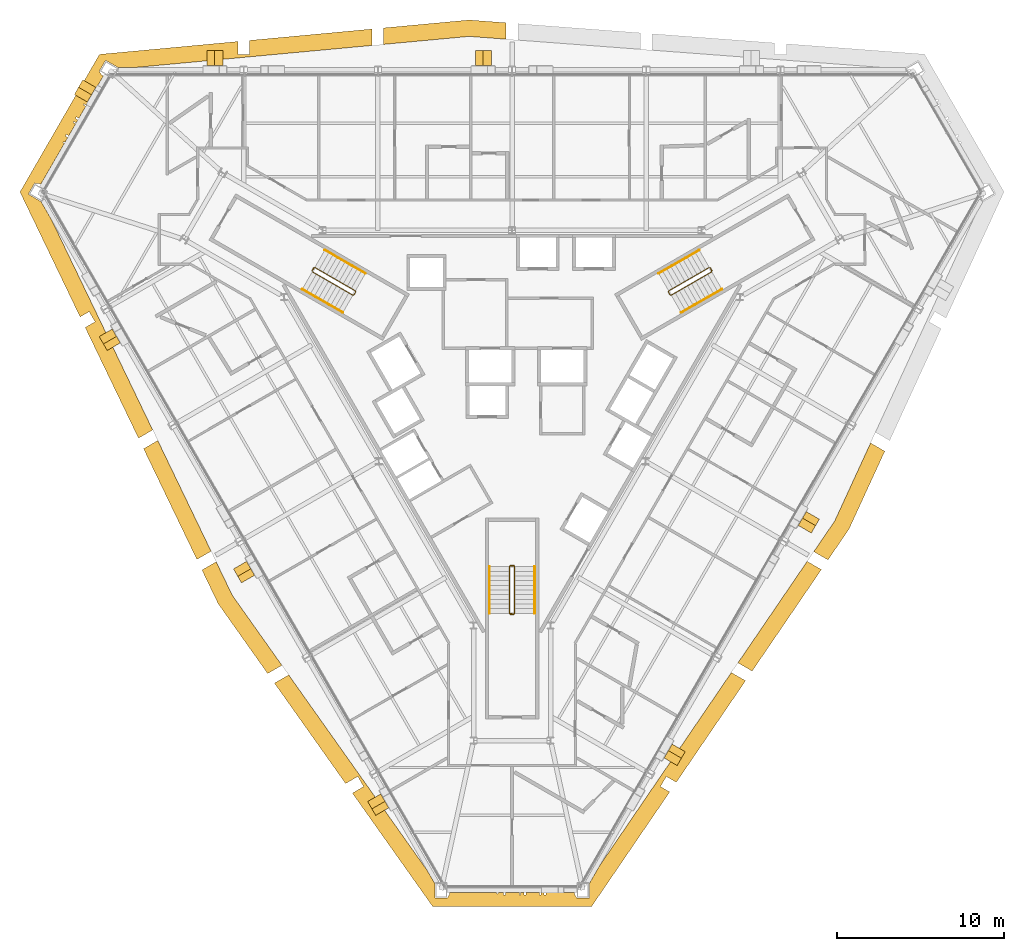
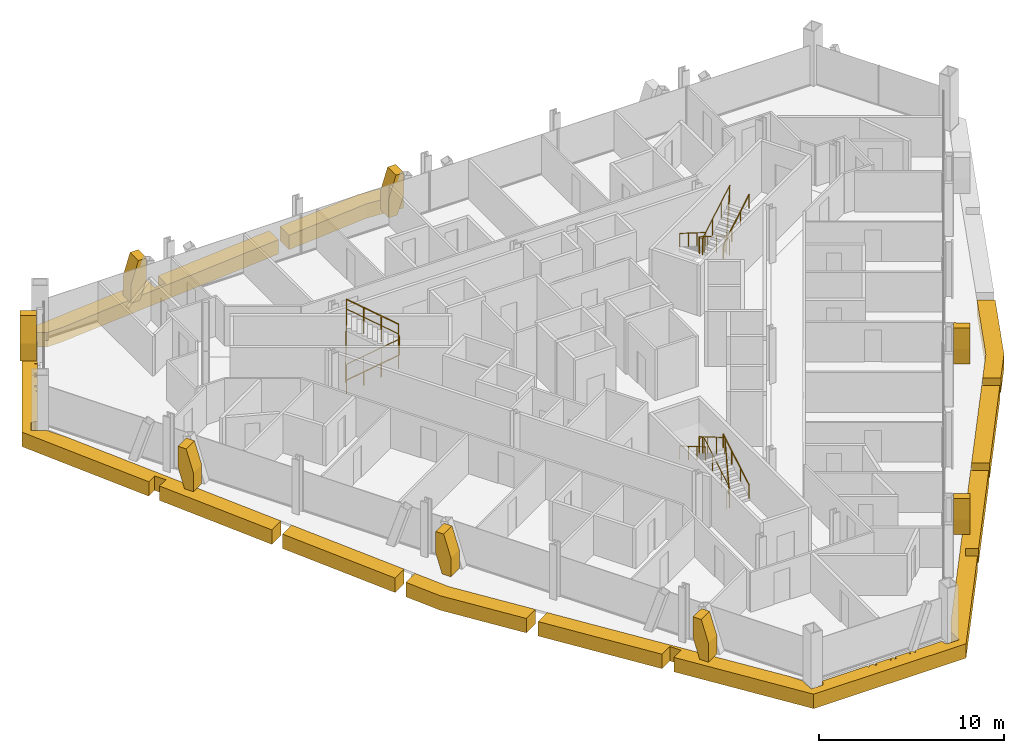
# One storey, part 15 of 16: 15 coverings, 9 railings.
"""IFC4 building model written with IfcOpenShell, lengths in metres."""

from ifc_helpers import new_model, si_unit, direction, frame, origin, origin_2d, place, context, subcontext, project, spatial, polyline, circle, outline, extrude, material, layer, layer_set, type_object, element, save


model = new_model("IFC4")

# Units and contexts
model_context = context("Model", 3, precision=1e-05, world=origin(), true_north=direction((0.0, 1.0)))
body_context = subcontext(model_context, "Body", "Model", "MODEL_VIEW")
ifc_project = project(units=[si_unit("LENGTHUNIT", "METRE"), si_unit("AREAUNIT", "SQUARE_METRE"), si_unit("VOLUMEUNIT", "CUBIC_METRE"), si_unit("PLANEANGLEUNIT", "RADIAN"), si_unit("MASSUNIT", "GRAM", prefix="KILO")], contexts=[model_context])

# Site, building, storey
site_placement = place(None, origin())
site = spatial("IfcSite", under=ifc_project, at=site_placement, CompositionType="ELEMENT")
building_placement = place(site_placement, origin())
building = spatial("IfcBuilding", under=site, at=building_placement, Name="Verrane Prism Tower", CompositionType="ELEMENT")
storey_placement = place(building_placement, frame((0.0, 0.0, 110.800048828125)))
storey = spatial("IfcBuildingStorey", under=building, at=storey_placement, Name="L26", CompositionType="ELEMENT", Elevation=110.800048828125)

# Railings
ifc_material_1 = material(Name="Steel A36 rail and posts, no infill", Category="steel")
railing_type_1 = type_object("IfcRailingType", Name="Stair guard 1100 steel rail and posts", PredefinedType="GUARDRAIL", material=ifc_material_1)
railing_1_placement = place(storey_placement, frame((11.78955078125, 6.97998046875, 0.16357421875)))
element("IfcRailing", 1, at=railing_1_placement, inside=storey, type_object=railing_type_1, Name="Stair 1 guard", PredefinedType="GUARDRAIL", context=body_context, shape_type="SweptSolid", body=[
    extrude(circle(Radius=0.02392578125, at=origin_2d()), frame((0.0, 0.0, 1.076171875), z_axis=(-0.747665513933, -0.431721881032, 0.504591415616), x_axis=(0.500049511043, -0.865996816683, 0.0)), (0.0, 0.0, 1.0), 3.2431640625),
    extrude(circle(Radius=0.02392578125, at=origin_2d()), frame((-2.4248046875, -1.400146484375, 2.71240234375), z_axis=(-0.259601060869, -0.965715946433, 0.0), x_axis=(0.965715946433, -0.259601060869, 0.0)), (0.0, 0.0, 1.0), 0.070556640625),
    extrude(circle(Radius=0.02392578125, at=origin_2d()), frame((-2.443115234375, -1.46826171875, 2.71240234375), z_axis=(0.499158860599, -0.866510491504, 0.0), x_axis=(0.866510491504, 0.499158860599, 0.0)), (0.0, 0.0, 1.0), 0.199951171875),
    extrude(circle(Radius=0.02392578125, at=origin_2d()), frame((-2.34326171875, -1.6416015625, 2.71240234375), z_axis=(0.383552647116, -0.102737316192, 0.917786691313), x_axis=(0.258736085224, 0.965948051503, 0.0)), (0.0, 0.0, 1.0), 0.17822265625),
    extrude(circle(Radius=0.02392578125, at=origin_2d()), frame((-2.27490234375, -1.659912109375, 2.8759765625), z_axis=(0.747693913401, 0.431738279637, 0.504535300807), x_axis=(-0.500049511043, 0.865996816683, 0.0)), (0.0, 0.0, 1.0), 3.2431640625),
    extrude(circle(Radius=0.02392578125, at=origin_2d()), frame((0.14990234375, -0.259765625, 4.51220703125), z_axis=(-0.022595193939, 0.066906128161, -0.9975033971), x_axis=(-0.947430582667, -0.3199613899, 0.0)), (0.0, 0.0, 1.0), 3.60888671875),
    extrude(circle(Radius=0.02392578125, at=origin_2d()), frame((0.068359375, -0.018310546875, 0.91259765625), z_axis=(0.499158860599, -0.866510491504, 0.0), x_axis=(0.866510491504, 0.499158860599, 0.0)), (0.0, 0.0, 1.0), 0.199951171875),
    extrude(circle(Radius=0.02099609375, at=origin_2d()), origin(), (0.0, 0.0, 1.0), 1.052001953125),
    extrude(circle(Radius=0.02099609375, at=origin_2d()), frame((-0.808349609375, -0.466796875, 0.54541015625)), (0.0, 0.0, 1.0), 1.052001953125),
    extrude(circle(Radius=0.02099609375, at=origin_2d()), frame((-1.616455078125, -0.933349609375, 1.091064453125)), (0.0, 0.0, 1.0), 1.052001953125),
    extrude(circle(Radius=0.02099609375, at=origin_2d()), frame((-2.4248046875, -1.400146484375, 1.636474609375)), (0.0, 0.0, 1.0), 1.052001953125),
    extrude(circle(Radius=0.02099609375, at=origin_2d()), frame((-2.443115234375, -1.46826171875, 1.636474609375)), (0.0, 0.0, 1.0), 1.052001953125),
    extrude(circle(Radius=0.02099609375, at=origin_2d()), frame((-2.34326171875, -1.6416015625, 1.636474609375)), (0.0, 0.0, 1.0), 1.052001953125),
    extrude(circle(Radius=0.02099609375, at=origin_2d()), frame((-2.27490234375, -1.659912109375, 1.800048828125)), (0.0, 0.0, 1.0), 1.052001953125),
    extrude(circle(Radius=0.02099609375, at=origin_2d()), frame((-1.466552734375, -1.193115234375, 2.345458984375)), (0.0, 0.0, 1.0), 1.052001953125),
    extrude(circle(Radius=0.02099609375, at=origin_2d()), frame((-0.658447265625, -0.7265625, 2.890869140625)), (0.0, 0.0, 1.0), 1.052001953125),
    extrude(circle(Radius=0.02099609375, at=origin_2d()), frame((0.14990234375, -0.259765625, 3.436279296875)), (0.0, 0.0, 1.0), 1.052001953125),
    extrude(circle(Radius=0.02099609375, at=origin_2d()), frame((0.12939453125, -0.199462890625, 2.536376953125)), (0.0, 0.0, 1.0), 1.052001953125),
    extrude(circle(Radius=0.02099609375, at=origin_2d()), frame((0.109130859375, -0.13916015625, 1.63623046875)), (0.0, 0.0, 1.0), 1.052001953125),
    extrude(circle(Radius=0.02099609375, at=origin_2d()), frame((0.0888671875, -0.07861328125, 0.736328125)), (0.0, 0.0, 1.0), 1.052001953125),
    extrude(circle(Radius=0.02099609375, at=origin_2d()), frame((0.068359375, -0.018310546875, -0.16357421875)), (0.0, 0.0, 1.0), 1.052001953125),
    extrude(circle(Radius=0.02099609375, at=origin_2d()), frame((0.168212890625, -0.191650390625, -0.16357421875)), (0.0, 0.0, 1.0), 1.052001953125),
])
railing_2_placement = place(storey_placement, frame((-11.939453125, 6.72021484375, 0.16357421875)))
element("IfcRailing", 2, at=railing_2_placement, inside=storey, type_object=railing_type_1, Name="Stair 2 guard", PredefinedType="GUARDRAIL", context=body_context, shape_type="SweptSolid", body=[
    extrude(circle(Radius=0.02392578125, at=origin_2d()), frame((0.0, 0.0, 1.076171875), z_axis=(0.747665513933, -0.431721881032, 0.504591415616), x_axis=(0.500049511043, 0.865996816683, 0.0)), (0.0, 0.0, 1.0), 3.2431640625),
    extrude(circle(Radius=0.02392578125, at=origin_2d()), frame((2.4248046875, -1.400146484375, 2.71240234375), z_axis=(0.965948051503, 0.258736085224, 0.0), x_axis=(-0.258736085224, 0.965948051503, 0.0)), (0.0, 0.0, 1.0), 0.07080078125),
    extrude(circle(Radius=0.02392578125, at=origin_2d()), frame((2.4931640625, -1.3818359375, 2.71240234375), z_axis=(0.499158860599, 0.866510491504, 0.0), x_axis=(-0.866510491504, 0.499158860599, 0.0)), (0.0, 0.0, 1.0), 0.199951171875),
    extrude(circle(Radius=0.02392578125, at=origin_2d()), frame((2.593017578125, -1.20849609375, 2.71240234375), z_axis=(-0.102791240646, 0.382383415203, 0.918268416436), x_axis=(-0.965715946433, -0.259601060869, 0.0)), (0.0, 0.0, 1.0), 0.17822265625),
    extrude(circle(Radius=0.02392578125, at=origin_2d()), frame((2.57470703125, -1.140380859375, 2.8759765625), z_axis=(-0.747693913401, 0.431738279637, 0.504535300807), x_axis=(-0.500049511043, -0.865996816683, 0.0)), (0.0, 0.0, 1.0), 3.2431640625),
    extrude(circle(Radius=0.02392578125, at=origin_2d()), frame((0.14990234375, 0.259765625, 4.51220703125), z_axis=(-0.046610908435, -0.053105316576, -0.997500500534), x_axis=(0.751567565678, -0.659656118156, 0.0)), (0.0, 0.0, 1.0), 3.60888671875),
    extrude(circle(Radius=0.02392578125, at=origin_2d()), frame((-0.018310546875, 0.068115234375, 0.91259765625), z_axis=(0.499158860599, 0.866510491504, 0.0), x_axis=(-0.866510491504, 0.499158860599, 0.0)), (0.0, 0.0, 1.0), 0.199951171875),
    extrude(circle(Radius=0.02099609375, at=origin_2d()), origin(), (0.0, 0.0, 1.0), 1.052001953125),
    extrude(circle(Radius=0.02099609375, at=origin_2d()), frame((0.808349609375, -0.466796875, 0.54541015625)), (0.0, 0.0, 1.0), 1.052001953125),
    extrude(circle(Radius=0.02099609375, at=origin_2d()), frame((1.616455078125, -0.933349609375, 1.091064453125)), (0.0, 0.0, 1.0), 1.052001953125),
    extrude(circle(Radius=0.02099609375, at=origin_2d()), frame((2.4248046875, -1.400146484375, 1.636474609375)), (0.0, 0.0, 1.0), 1.052001953125),
    extrude(circle(Radius=0.02099609375, at=origin_2d()), frame((2.4931640625, -1.3818359375, 1.636474609375)), (0.0, 0.0, 1.0), 1.052001953125),
    extrude(circle(Radius=0.02099609375, at=origin_2d()), frame((2.593017578125, -1.20849609375, 1.636474609375)), (0.0, 0.0, 1.0), 1.052001953125),
    extrude(circle(Radius=0.02099609375, at=origin_2d()), frame((2.57470703125, -1.140380859375, 1.800048828125)), (0.0, 0.0, 1.0), 1.052001953125),
    extrude(circle(Radius=0.02099609375, at=origin_2d()), frame((1.766357421875, -0.673583984375, 2.345458984375)), (0.0, 0.0, 1.0), 1.052001953125),
    extrude(circle(Radius=0.02099609375, at=origin_2d()), frame((0.958251953125, -0.20703125, 2.890869140625)), (0.0, 0.0, 1.0), 1.052001953125),
    extrude(circle(Radius=0.02099609375, at=origin_2d()), frame((0.14990234375, 0.259765625, 3.436279296875)), (0.0, 0.0, 1.0), 1.052001953125),
    extrude(circle(Radius=0.02099609375, at=origin_2d()), frame((0.10791015625, 0.2119140625, 2.536376953125)), (0.0, 0.0, 1.0), 1.052001953125),
    extrude(circle(Radius=0.02099609375, at=origin_2d()), frame((0.06591796875, 0.1640625, 1.63623046875)), (0.0, 0.0, 1.0), 1.052001953125),
    extrude(circle(Radius=0.02099609375, at=origin_2d()), frame((0.023681640625, 0.115966796875, 0.736328125)), (0.0, 0.0, 1.0), 1.052001953125),
    extrude(circle(Radius=0.02099609375, at=origin_2d()), frame((-0.018310546875, 0.068115234375, -0.16357421875)), (0.0, 0.0, 1.0), 1.052001953125),
    extrude(circle(Radius=0.02099609375, at=origin_2d()), frame((0.08154296875, 0.241455078125, -0.16357421875)), (0.0, 0.0, 1.0), 1.052001953125),
])
railing_3_placement = place(storey_placement, frame((0.14990234375, -13.699951171875, 0.16357421875)))
element("IfcRailing", 3, at=railing_3_placement, inside=storey, type_object=railing_type_1, Name="Stair 3 guard", PredefinedType="GUARDRAIL", context=body_context, shape_type="SweptSolid", body=[
    extrude(circle(Radius=0.02392578125, at=origin_2d()), frame((0.0, 0.0, 1.076171875), z_axis=(0.0, 0.863360870873, 0.504586966384), x_axis=(-1.0, 0.0, 0.0)), (0.0, 0.0, 1.0), 3.2431640625),
    extrude(circle(Radius=0.02392578125, at=origin_2d()), frame((0.0, 2.800048828125, 2.71240234375), z_axis=(-0.707106781187, 0.707106781187, 0.0), x_axis=(-0.707106781187, -0.707106781187, 0.0)), (0.0, 0.0, 1.0), 0.0703125),
    extrude(circle(Radius=0.02392578125, at=origin_2d()), frame((-0.0498046875, 2.849853515625, 2.71240234375), z_axis=(-1.0, 0.0, 0.0), x_axis=(0.0, -1.0, 0.0)), (0.0, 0.0, 1.0), 0.2001953125),
    extrude(circle(Radius=0.02392578125, at=origin_2d()), frame((-0.25, 2.849853515625, 2.71240234375), z_axis=(-0.279653641804, -0.279653641804, 0.918470294159), x_axis=(0.707106781187, -0.707106781187, 0.0)), (0.0, 0.0, 1.0), 0.177978515625),
    extrude(circle(Radius=0.02392578125, at=origin_2d()), frame((-0.2998046875, 2.800048828125, 2.8759765625), z_axis=(0.0, -0.863393664356, 0.504530851732), x_axis=(1.0, 0.0, 0.0)), (0.0, 0.0, 1.0), 3.2431640625),
    extrude(circle(Radius=0.02392578125, at=origin_2d()), frame((-0.2998046875, 0.0, 4.51220703125), z_axis=(0.069273741535, -0.013868278335, -0.997501288014), x_axis=(0.196300278283, 0.98054382908, 0.0)), (0.0, 0.0, 1.0), 3.60888671875),
    extrude(circle(Radius=0.02392578125, at=origin_2d()), frame((-0.0498046875, -0.050048828125, 0.91259765625), z_axis=(-1.0, 0.0, 0.0), x_axis=(0.0, -1.0, 0.0)), (0.0, 0.0, 1.0), 0.2001953125),
    extrude(circle(Radius=0.02099609375, at=origin_2d()), origin(), (0.0, 0.0, 1.0), 1.052001953125),
    extrude(circle(Radius=0.02099609375, at=origin_2d()), frame((0.0, 0.933349609375, 0.54541015625)), (0.0, 0.0, 1.0), 1.052001953125),
    extrude(circle(Radius=0.02099609375, at=origin_2d()), frame((0.0, 1.86669921875, 1.091064453125)), (0.0, 0.0, 1.0), 1.052001953125),
    extrude(circle(Radius=0.02099609375, at=origin_2d()), frame((0.0, 2.800048828125, 1.636474609375)), (0.0, 0.0, 1.0), 1.052001953125),
    extrude(circle(Radius=0.02099609375, at=origin_2d()), frame((-0.0498046875, 2.849853515625, 1.636474609375)), (0.0, 0.0, 1.0), 1.052001953125),
    extrude(circle(Radius=0.02099609375, at=origin_2d()), frame((-0.25, 2.849853515625, 1.636474609375)), (0.0, 0.0, 1.0), 1.052001953125),
    extrude(circle(Radius=0.02099609375, at=origin_2d()), frame((-0.2998046875, 2.800048828125, 1.800048828125)), (0.0, 0.0, 1.0), 1.052001953125),
    extrude(circle(Radius=0.02099609375, at=origin_2d()), frame((-0.2998046875, 1.86669921875, 2.345458984375)), (0.0, 0.0, 1.0), 1.052001953125),
    extrude(circle(Radius=0.02099609375, at=origin_2d()), frame((-0.2998046875, 0.933349609375, 2.890869140625)), (0.0, 0.0, 1.0), 1.052001953125),
    extrude(circle(Radius=0.02099609375, at=origin_2d()), frame((-0.2998046875, 0.0, 3.436279296875)), (0.0, 0.0, 1.0), 1.052001953125),
    extrude(circle(Radius=0.02099609375, at=origin_2d()), frame((-0.2373046875, -0.012451171875, 2.536376953125)), (0.0, 0.0, 1.0), 1.052001953125),
    extrude(circle(Radius=0.02099609375, at=origin_2d()), frame((-0.1748046875, -0.02490234375, 1.63623046875)), (0.0, 0.0, 1.0), 1.052001953125),
    extrude(circle(Radius=0.02099609375, at=origin_2d()), frame((-0.1123046875, -0.03759765625, 0.736328125)), (0.0, 0.0, 1.0), 1.052001953125),
    extrude(circle(Radius=0.02099609375, at=origin_2d()), frame((-0.0498046875, -0.050048828125, -0.16357421875)), (0.0, 0.0, 1.0), 1.052001953125),
    extrude(circle(Radius=0.02099609375, at=origin_2d()), frame((-0.25, -0.050048828125, -0.16357421875)), (0.0, 0.0, 1.0), 1.052001953125),
])
ifc_material_2 = material(Name="Steel A36 tube", Category="steel")
railing_type_2 = type_object("IfcRailingType", Name="Stair handrail 900 steel tube", PredefinedType="HANDRAIL", material=ifc_material_2)
railing_4_placement = place(storey_placement, frame((11.189453125, 8.01904296875, 0.16357421875)))
element("IfcRailing", 4, at=railing_4_placement, inside=storey, type_object=railing_type_2, Name="Stair 1 handrail", PredefinedType="HANDRAIL", context=body_context, shape_type="SweptSolid", body=[
    extrude(circle(Radius=0.02392578125, at=origin_2d()), frame((0.0, 0.0, 0.8759765625), z_axis=(-0.747689811644, -0.431660630283, 0.504607813879), x_axis=(0.49998411664, -0.866034573852, 0.0)), (0.0, 0.0, 1.0), 3.2431640625),
    extrude(circle(Radius=0.02099609375, at=origin_2d()), origin(), (0.0, 0.0, 1.0), 0.851806640625),
    extrude(circle(Radius=0.02099609375, at=origin_2d()), frame((-0.808349609375, -0.466552734375, 0.54541015625)), (0.0, 0.0, 1.0), 0.851806640625),
    extrude(circle(Radius=0.02099609375, at=origin_2d()), frame((-1.616455078125, -0.933349609375, 1.091064453125)), (0.0, 0.0, 1.0), 0.851806640625),
    extrude(circle(Radius=0.02099609375, at=origin_2d()), frame((-2.4248046875, -1.39990234375, 1.636474609375)), (0.0, 0.0, 1.0), 0.851806640625),
])
railing_5_placement = place(storey_placement, frame((10.11474609375, 4.28076171875, 1.963623046875)))
element("IfcRailing", 5, at=railing_5_placement, inside=storey, type_object=railing_type_2, Name="Stair 1 handrail", PredefinedType="HANDRAIL", context=body_context, shape_type="SweptSolid", body=[
    extrude(circle(Radius=0.02392578125, at=origin_2d()), frame((0.0, 0.0, 0.8759765625), z_axis=(0.747693913401, 0.431738279637, 0.504535300807), x_axis=(-0.500049511043, 0.865996816683, 0.0)), (0.0, 0.0, 1.0), 3.2431640625),
    extrude(circle(Radius=0.02099609375, at=origin_2d()), origin(), (0.0, 0.0, 1.0), 0.851806640625),
    extrude(circle(Radius=0.02099609375, at=origin_2d()), frame((0.808349609375, 0.466796875, 0.54541015625)), (0.0, 0.0, 1.0), 0.851806640625),
    extrude(circle(Radius=0.02099609375, at=origin_2d()), frame((1.616455078125, 0.933349609375, 1.0908203125)), (0.0, 0.0, 1.0), 0.851806640625),
    extrude(circle(Radius=0.02099609375, at=origin_2d()), frame((2.4248046875, 1.400146484375, 1.63623046875)), (0.0, 0.0, 1.0), 0.851806640625),
])
railing_6_placement = place(storey_placement, frame((-12.53955078125, 5.680908203125, 0.16357421875)))
element("IfcRailing", 6, at=railing_6_placement, inside=storey, type_object=railing_type_2, Name="Stair 2 handrail", PredefinedType="HANDRAIL", context=body_context, shape_type="SweptSolid", body=[
    extrude(circle(Radius=0.02392578125, at=origin_2d()), frame((0.0, 0.0, 0.8759765625), z_axis=(0.747665513933, -0.431721881032, 0.504591415616), x_axis=(0.500049511043, 0.865996816683, 0.0)), (0.0, 0.0, 1.0), 3.2431640625),
    extrude(circle(Radius=0.02099609375, at=origin_2d()), origin(), (0.0, 0.0, 1.0), 0.851806640625),
    extrude(circle(Radius=0.02099609375, at=origin_2d()), frame((0.808349609375, -0.466796875, 0.54541015625)), (0.0, 0.0, 1.0), 0.851806640625),
    extrude(circle(Radius=0.02099609375, at=origin_2d()), frame((1.616455078125, -0.933349609375, 1.091064453125)), (0.0, 0.0, 1.0), 0.851806640625),
    extrude(circle(Radius=0.02099609375, at=origin_2d()), frame((2.4248046875, -1.400146484375, 1.636474609375)), (0.0, 0.0, 1.0), 0.851806640625),
])
railing_7_placement = place(storey_placement, frame((-8.7646484375, 6.619140625, 1.963623046875)))
element("IfcRailing", 7, at=railing_7_placement, inside=storey, type_object=railing_type_2, Name="Stair 2 handrail", PredefinedType="HANDRAIL", context=body_context, shape_type="SweptSolid", body=[
    extrude(circle(Radius=0.02392578125, at=origin_2d()), frame((0.0, 0.0, 0.8759765625), z_axis=(-0.74771821388, 0.431677027627, 0.504551698492), x_axis=(-0.49998411664, -0.866034573852, 0.0)), (0.0, 0.0, 1.0), 3.242919921875),
    extrude(circle(Radius=0.02099609375, at=origin_2d()), origin(), (0.0, 0.0, 1.0), 0.851806640625),
    extrude(circle(Radius=0.02099609375, at=origin_2d()), frame((-0.808349609375, 0.466552734375, 0.54541015625)), (0.0, 0.0, 1.0), 0.851806640625),
    extrude(circle(Radius=0.02099609375, at=origin_2d()), frame((-1.616455078125, 0.933349609375, 1.0908203125)), (0.0, 0.0, 1.0), 0.851806640625),
    extrude(circle(Radius=0.02099609375, at=origin_2d()), frame((-2.4248046875, 1.39990234375, 1.63623046875)), (0.0, 0.0, 1.0), 0.851806640625),
])
railing_8_placement = place(storey_placement, frame((1.35009765625, -13.699951171875, 0.16357421875)))
element("IfcRailing", 8, at=railing_8_placement, inside=storey, type_object=railing_type_2, Name="Stair 3 handrail", PredefinedType="HANDRAIL", context=body_context, shape_type="SweptSolid", body=[
    extrude(circle(Radius=0.02392578125, at=origin_2d()), frame((0.0, 0.0, 0.8759765625), z_axis=(0.0, 0.863360870873, 0.504586966384), x_axis=(-1.0, 0.0, 0.0)), (0.0, 0.0, 1.0), 3.2431640625),
    extrude(circle(Radius=0.02099609375, at=origin_2d()), origin(), (0.0, 0.0, 1.0), 0.851806640625),
    extrude(circle(Radius=0.02099609375, at=origin_2d()), frame((0.0, 0.933349609375, 0.54541015625)), (0.0, 0.0, 1.0), 0.851806640625),
    extrude(circle(Radius=0.02099609375, at=origin_2d()), frame((0.0, 1.86669921875, 1.091064453125)), (0.0, 0.0, 1.0), 0.851806640625),
    extrude(circle(Radius=0.02099609375, at=origin_2d()), frame((0.0, 2.800048828125, 1.636474609375)), (0.0, 0.0, 1.0), 0.851806640625),
])
railing_9_placement = place(storey_placement, frame((-1.35009765625, -10.89990234375, 1.963623046875)))
element("IfcRailing", 9, at=railing_9_placement, inside=storey, type_object=railing_type_2, Name="Stair 3 handrail", PredefinedType="HANDRAIL", context=body_context, shape_type="SweptSolid", body=[
    extrude(circle(Radius=0.02392578125, at=origin_2d()), frame((0.0, 0.0, 0.8759765625), z_axis=(0.0, -0.863393664356, 0.504530851732), x_axis=(1.0, 0.0, 0.0)), (0.0, 0.0, 1.0), 3.2431640625),
    extrude(circle(Radius=0.02099609375, at=origin_2d()), origin(), (0.0, 0.0, 1.0), 0.851806640625),
    extrude(circle(Radius=0.02099609375, at=origin_2d()), frame((0.0, -0.933349609375, 0.54541015625)), (0.0, 0.0, 1.0), 0.851806640625),
    extrude(circle(Radius=0.02099609375, at=origin_2d()), frame((0.0, -1.86669921875, 1.0908203125)), (0.0, 0.0, 1.0), 0.851806640625),
    extrude(circle(Radius=0.02099609375, at=origin_2d()), frame((0.0, -2.800048828125, 1.63623046875)), (0.0, 0.0, 1.0), 0.851806640625),
])

# Coverings
ifc_material_3 = material(Name="Warm limestone cladding", Category="masonry")
ifc_layer_1 = layer(ifc_material_3, 0.89990234375)
ifc_layer_set_1 = layer_set([ifc_layer_1], Name="Stone brace fin 900")
covering_type_1 = type_object("IfcCoveringType", Name="Stone brace fin 900", PredefinedType="CLADDING", material=ifc_layer_set_1)
covering_1_placement = place(storey_placement, frame((-2.197265625, 19.493896484375, 0.0), z_axis=(0.0, 0.0, 1.0), x_axis=(1.0, 0.0, 0.0)))
element("IfcCovering", 10, at=covering_1_placement, inside=storey, type_object=covering_type_1, Name="Stone brace fin N4 L26", PredefinedType="CLADDING", context=body_context, shape_type="SweptSolid", body=[
    extrude(outline(polyline([(0.95751953125, 2.64990234375), (0.448486328125, 2.64990234375), (0.0, 1.2412109375), (0.0, 0.0), (0.549560546875, 0.0), (0.95751953125, 1.28173828125), (0.95751953125, 2.64990234375)])), frame((0.0, 0.449951171875, 0.0), z_axis=(0.0, -1.0, 0.0), x_axis=(1.0, 0.0, 0.0)), (0.0, 0.0, 1.0), 0.89990234375),
])
covering_2_placement = place(storey_placement, frame((-18.239990234375, 19.493896484375, 0.0), z_axis=(0.0, 0.0, 1.0), x_axis=(1.0, 0.0, 0.0)))
element("IfcCovering", 11, at=covering_2_placement, inside=storey, type_object=covering_type_1, Name="Stone brace fin N6 L26", PredefinedType="CLADDING", context=body_context, shape_type="SweptSolid", body=[
    extrude(outline(polyline([(0.95849609375, 2.64990234375), (0.449462890625, 2.64990234375), (0.0, 1.239501953125), (0.0, 0.0), (0.549560546875, 0.0), (0.95849609375, 1.283447265625), (0.95849609375, 2.64990234375)])), frame((0.0, 0.449951171875, 0.0), z_axis=(0.0, -1.0, 0.0), x_axis=(1.0, 0.0, 0.0)), (0.0, 0.0, 1.0), 0.89990234375),
])
covering_3_placement = place(storey_placement, frame((-23.80810546875, 2.243408203125, 0.0), z_axis=(0.0, 0.0, 1.0), x_axis=(-0.500604383835, 0.865676181309, 0.0)))
element("IfcCovering", 12, at=covering_3_placement, inside=storey, type_object=covering_type_1, Name="Stone brace fin SW2 L26", PredefinedType="CLADDING", context=body_context, shape_type="SweptSolid", body=[
    extrude(outline(polyline([(0.95849609375, 2.64990234375), (0.44921875, 2.64990234375), (0.0, 1.23974609375), (0.0, 0.0), (0.549560546875, 0.0), (0.95849609375, 1.283203125), (0.95849609375, 2.64990234375)])), frame((0.0, 0.449951171875, 0.0), z_axis=(0.0, -1.0, 0.0), x_axis=(1.0, 0.0, 0.0)), (0.0, 0.0, 1.0), 0.89990234375),
])
for number, where, z_axis, x_axis, name in (
    (13, (-15.78125, -11.64599609375, 0.0), (0.0, 0.0, 1.0), (-0.499840134137, 0.866117682712, 0.0), "Stone brace fin SW4 L26"),
    (14, (-7.76123046875, -25.5458984375, 0.0), (0.0, 0.0, 1.0), (-0.499840134137, 0.866117682712, 0.0), "Stone brace fin SW6 L26"),
    (15, (9.95849609375, -21.73779296875, 0.0), (0.0, 0.0, 1.0), (-0.499840134137, -0.866117682712, 0.0), "Stone brace fin SE2 L26"),
):
    element("IfcCovering", number, at=place(storey_placement, frame(where, z_axis=z_axis, x_axis=x_axis)), inside=storey, type_object=covering_type_1, Name=name, PredefinedType="CLADDING", context=body_context, shape_type="SweptSolid", body=[
        extrude(outline(polyline([(0.957763671875, 2.64990234375), (0.44873046875, 2.64990234375), (0.0, 1.240478515625), (0.0, 0.0), (0.549560546875, 0.0), (0.957763671875, 1.282470703125), (0.957763671875, 2.64990234375)])), frame((0.0, 0.449951171875, 0.0), z_axis=(0.0, -1.0, 0.0), x_axis=(1.0, 0.0, 0.0)), (0.0, 0.0, 1.0), 0.89990234375),
    ])
covering_4_placement = place(storey_placement, frame((17.978271484375, -7.8408203125, 0.0), z_axis=(0.0, 0.0, 1.0), x_axis=(-0.500392378386, -0.865798745468, 0.0)))
element("IfcCovering", 16, at=covering_4_placement, inside=storey, type_object=covering_type_1, Name="Stone brace fin SE4 L26", PredefinedType="CLADDING", context=body_context, shape_type="SweptSolid", body=[
    extrude(outline(polyline([(0.956787109375, 2.64990234375), (0.447998046875, 2.64990234375), (0.0, 1.241943359375), (0.0, 0.0), (0.54931640625, 0.0), (0.956787109375, 1.281005859375), (0.956787109375, 2.64990234375)])), frame((0.0, 0.449951171875, 0.0), z_axis=(0.0, -1.0, 0.0), x_axis=(1.0, 0.0, 0.0)), (0.0, 0.0, 1.0), 0.89990234375),
])
covering_5_placement = place(storey_placement, frame((-25.77490234375, 17.09375, 0.0), z_axis=(0.0, 0.0, 1.0), x_axis=(0.500245387533, 0.865883682865, 0.0)))
element("IfcCovering", 17, at=covering_5_placement, inside=storey, type_object=covering_type_1, Name="Stone brace fin NW1 L26", PredefinedType="CLADDING", context=body_context, shape_type="SweptSolid", body=[
    extrude(outline(polyline([(1.01025390625, 2.64990234375), (0.4990234375, 2.64990234375), (0.0, 1.166259765625), (0.0, 0.0), (0.55712890625, 0.0), (1.01025390625, 1.346435546875), (1.01025390625, 2.64990234375)])), frame((0.0, 0.449951171875, 0.0), z_axis=(0.0, -1.0, 0.0), x_axis=(1.0, 0.0, 0.0)), (0.0, 0.0, 1.0), 0.89990234375),
])
ifc_material_4 = material(Name="Warm limestone cladding", Category="masonry")
ifc_layer_2 = layer(ifc_material_4, 0.449951171875)
ifc_layer_set_2 = layer_set([ifc_layer_2], Name="Stone spandrel band 450")
covering_type_2 = type_object("IfcCoveringType", Name="Stone spandrel band 450", PredefinedType="CLADDING", material=ifc_layer_set_2)
covering_6_placement = place(storey_placement, frame((0.0, 0.0, -0.949951171875)))
element("IfcCovering", 18, at=covering_6_placement, inside=storey, type_object=covering_type_2, Name="Stone spandrel band L26 part 1", PredefinedType="CLADDING", context=body_context, shape_type="SweptSolid", body=[
    extrude(outline(polyline([(4.755859375, -31.2158203125), (9.423583984375, -24.371826171875), (8.869384765625, -24.0517578125), (9.219482421875, -23.445556640625), (9.819091796875, -23.7919921875), (13.95654296875, -17.725341796875), (13.107177734375, -17.235107421875), (5.242431640625, -28.7666015625), (4.6201171875, -29.844482421875), (4.6201171875, -30.719970703125), (3.860107421875, -30.719970703125), (3.860107421875, -30.697998046875), (3.74609375, -30.503662109375), (3.74609375, -30.37109375), (2.03369140625, -30.37109375), (2.03369140625, -30.5400390625), (1.91748046875, -30.5400390625), (1.91748046875, -30.37109375), (1.716796875, -30.37109375), (1.716796875, -30.5400390625), (1.646728515625, -30.5400390625), (1.646728515625, -30.37109375), (0.822265625, -30.37109375), (0.822265625, -30.5400390625), (0.7060546875, -30.5400390625), (0.7060546875, -30.37109375), (0.50537109375, -30.37109375), (0.50537109375, -30.5400390625), (0.435302734375, -30.5400390625), (0.435302734375, -30.37109375), (-0.38916015625, -30.37109375), (-0.38916015625, -30.5400390625), (-0.50537109375, -30.5400390625), (-0.50537109375, -30.37109375), (-0.7978515625, -30.37109375), (-0.880615234375, -30.47314453125), (-0.940185546875, -30.424560546875), (-0.89697265625, -30.37109375), (-3.74609375, -30.37109375), (-3.74609375, -30.503662109375), (-3.860107421875, -30.697998046875), (-3.860107421875, -30.719970703125), (-4.6201171875, -30.719970703125), (-4.6201171875, -29.844482421875), (-5.0712890625, -29.06298828125), (-13.350830078125, -17.375732421875), (-14.201416015625, -17.866943359375), (-9.950439453125, -23.86767578125), (-9.219482421875, -23.445556640625), (-8.869384765625, -24.0517578125), (-9.5439453125, -24.44140625), (-4.744873046875, -31.2158203125), (4.755859375, -31.2158203125)])), origin(), (0.0, 0.0, 1.0), 0.949951171875),
])
covering_7_placement = place(storey_placement, frame((0.0, 0.0, -0.949951171875)))
element("IfcCovering", 19, at=covering_7_placement, inside=storey, type_object=covering_type_2, Name="Stone spandrel band L26 part 3", PredefinedType="CLADDING", context=body_context, shape_type="SweptSolid", body=[
    extrude(outline(polyline([(-21.4794921875, -2.733642578125), (-27.53369140625, 9.84326171875), (-28.1572265625, 10.923095703125), (-28.915771484375, 11.36083984375), (-28.53564453125, 12.01904296875), (-28.5166015625, 12.008056640625), (-28.291748046875, 12.008056640625), (-28.17529296875, 11.94091796875), (-26.75048828125, 14.40869140625), (-26.81982421875, 14.397705078125), (-26.83203125, 14.473876953125), (-26.700927734375, 14.494873046875), (-26.55517578125, 14.74755859375), (-26.702392578125, 14.83251953125), (-26.644287109375, 14.93310546875), (-26.4970703125, 14.84814453125), (-26.0849609375, 15.561767578125), (-26.232177734375, 15.646728515625), (-26.197265625, 15.70751953125), (-26.050048828125, 15.622314453125), (-25.94970703125, 15.79638671875), (-26.0966796875, 15.88134765625), (-26.03857421875, 15.981689453125), (-25.8916015625, 15.896728515625), (-25.4794921875, 16.610595703125), (-25.62646484375, 16.6953125), (-25.59130859375, 16.756103515625), (-25.444580078125, 16.671142578125), (-25.343994140625, 16.844970703125), (-25.490966796875, 16.929931640625), (-25.432861328125, 17.030517578125), (-25.2861328125, 16.945556640625), (-24.42919921875, 18.4296875), (-24.542724609375, 18.495361328125), (-24.65673828125, 18.68994140625), (-24.67578125, 18.700927734375), (-24.295654296875, 19.359130859375), (-23.541015625, 18.92333984375), (-22.6337890625, 18.92333984375), (-8.372314453125, 20.25), (-8.372314453125, 21.232421875), (-15.69482421875, 20.55126953125), (-15.69482421875, 19.7099609375), (-16.394775390625, 19.7099609375), (-16.394775390625, 20.486083984375), (-24.661376953125, 19.717041015625), (-29.41162109375, 11.4892578125), (-25.818359375, 4.02490234375), (-25.274658203125, 4.338623046875), (-24.9248046875, 3.732421875), (-25.513916015625, 3.392333984375), (-22.328857421875, -3.22412109375), (-21.4794921875, -2.733642578125)])), origin(), (0.0, 0.0, 1.0), 0.949951171875),
])
covering_8_placement = place(storey_placement, frame((0.0, 0.0, -0.949951171875)))
element("IfcCovering", 20, at=covering_8_placement, inside=storey, type_object=covering_type_2, Name="Stone spandrel band L26 part 4", PredefinedType="CLADDING", context=body_context, shape_type="SweptSolid", body=[
    extrude(outline(polyline([(-18.83935546875, -10.472900390625), (-17.989990234375, -9.982421875), (-21.175048828125, -3.3662109375), (-22.0244140625, -3.8564453125), (-18.83935546875, -10.472900390625)])), origin(), (0.0, 0.0, 1.0), 0.949951171875),
])
covering_9_placement = place(storey_placement, frame((0.0, 0.0, -0.949951171875)))
element("IfcCovering", 21, at=covering_9_placement, inside=storey, type_object=covering_type_2, Name="Stone spandrel band L26 part 5", PredefinedType="CLADDING", context=body_context, shape_type="SweptSolid", body=[
    extrude(outline(polyline([(-14.60791015625, -17.293212890625), (-13.757080078125, -16.802001953125), (-16.72119140625, -12.6181640625), (-17.685546875, -10.614990234375), (-18.534912109375, -11.105224609375), (-17.566650390625, -13.116455078125), (-14.60791015625, -17.293212890625)])), origin(), (0.0, 0.0, 1.0), 0.949951171875),
])
covering_10_placement = place(storey_placement, frame((0.0, 0.0, -0.949951171875)))
element("IfcCovering", 22, at=covering_10_placement, inside=storey, type_object=covering_type_2, Name="Stone spandrel band L26 part 6", PredefinedType="CLADDING", context=body_context, shape_type="SweptSolid", body=[
    extrude(outline(polyline([(17.639892578125, -10.588623046875), (13.502685546875, -16.655029296875), (14.35205078125, -17.1455078125), (18.489501953125, -11.0791015625), (17.639892578125, -10.588623046875)])), origin(), (0.0, 0.0, 1.0), 0.949951171875),
])
covering_11_placement = place(storey_placement, frame((0.0, 0.0, -0.949951171875)))
element("IfcCovering", 23, at=covering_11_placement, inside=storey, type_object=covering_type_2, Name="Stone spandrel band L26 part 7", PredefinedType="CLADDING", context=body_context, shape_type="SweptSolid", body=[
    extrude(outline(polyline([(22.2802734375, -4.004150390625), (21.4296875, -3.51318359375), (19.288330078125, -8.171875), (18.035400390625, -10.0087890625), (18.885009765625, -10.4990234375), (20.142578125, -8.655029296875), (22.2802734375, -4.004150390625)])), origin(), (0.0, 0.0, 1.0), 0.949951171875),
])
covering_12_placement = place(storey_placement, frame((0.0, 0.0, -0.949951171875)))
element("IfcCovering", 24, at=covering_12_placement, inside=storey, type_object=covering_type_2, Name="Stone spandrel band L26 part 9", PredefinedType="CLADDING", context=body_context, shape_type="SweptSolid", body=[
    extrude(outline(polyline([(-7.67236328125, 20.315185546875), (-2.567138671875, 20.7900390625), (-0.35009765625, 20.62353515625), (-0.35009765625, 21.6044921875), (-2.575927734375, 21.771484375), (-7.67236328125, 21.29736328125), (-7.67236328125, 20.315185546875)])), origin(), (0.0, 0.0, 1.0), 0.949951171875),
])

save(model, "model.ifc")
